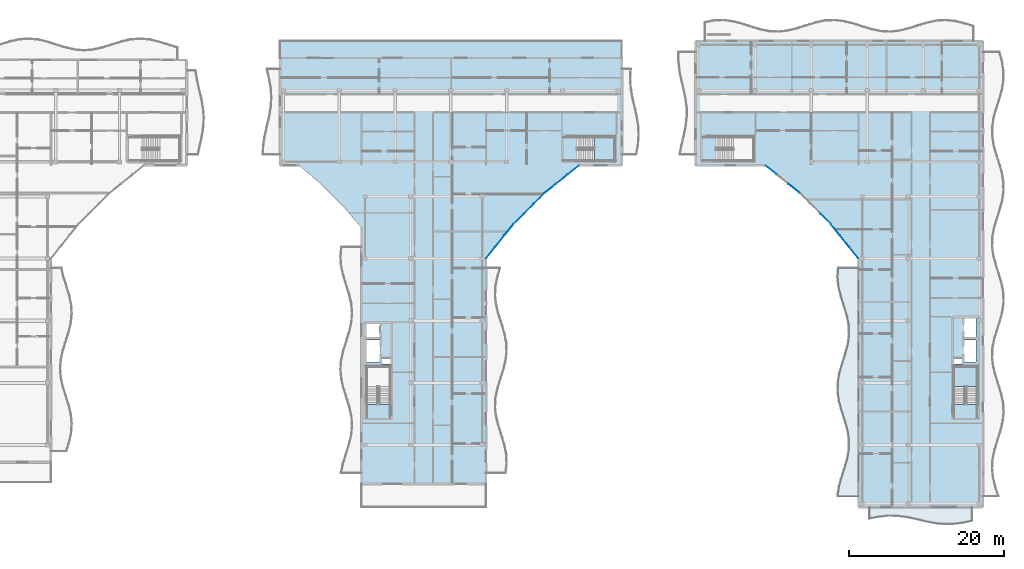
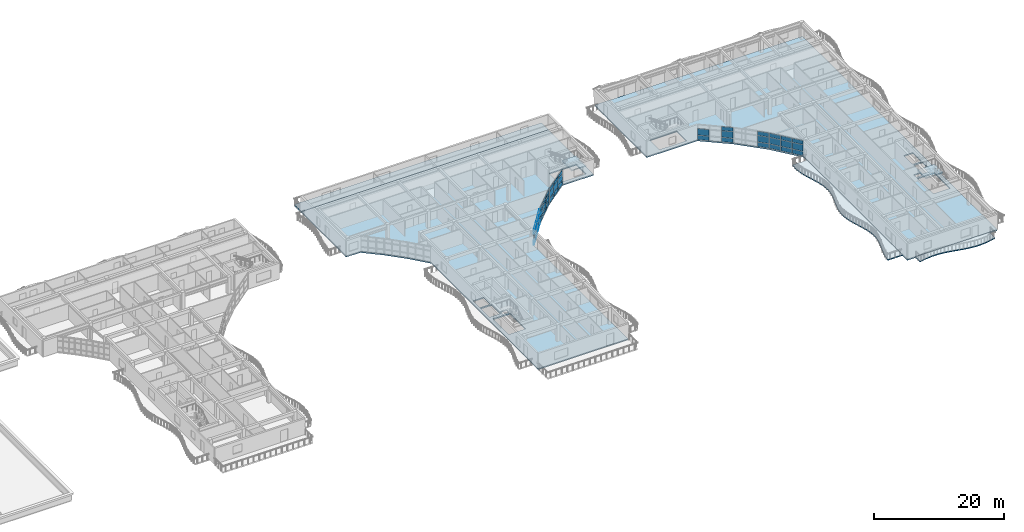
# One storey, part 23 of 54: 44 plates, 7 slabs, 8 elements without a shape of their own.
"""IFC4 building model written with IfcOpenShell, lengths in metres."""

from ifc_helpers import new_model, si_unit, direction, frame, origin, origin_2d, place, context, subcontext, project, spatial, polyline, rectangle, outline, extrude, material, layer, layer_set, type_object, element, aggregate, save


model = new_model("IFC4")

# Units and contexts
model_context = context("Model", 3, precision=1e-05, world=origin(), true_north=direction((0.0, 1.0)))
body_context = subcontext(model_context, "Body", "Model", "MODEL_VIEW")
ifc_project = project(units=[si_unit("LENGTHUNIT", "METRE"), si_unit("AREAUNIT", "SQUARE_METRE"), si_unit("VOLUMEUNIT", "CUBIC_METRE"), si_unit("PLANEANGLEUNIT", "RADIAN"), si_unit("MASSUNIT", "GRAM", prefix="KILO")], contexts=[model_context])

# Site, building, storey
site_placement = place(None, origin())
site = spatial("IfcSite", under=ifc_project, at=site_placement, CompositionType="ELEMENT")
building_placement = place(site_placement, origin())
building = spatial("IfcBuilding", under=site, at=building_placement, Name="Keldmere Railside Commons", CompositionType="ELEMENT")
storey_placement = place(building_placement, frame((0.0, 0.0, 26.56005859375)))
storey = spatial("IfcBuildingStorey", under=building, at=storey_placement, Name="L08", CompositionType="ELEMENT", Elevation=26.56005859375)

# Curtain wall, plates
ifc_material_1 = material(Name="Thermally Broken Aluminium", Category="aluminium")
ifc_layer_1 = layer(ifc_material_1, 0.159912109375, Name="Court Chord Wintergarden CW 4800x2850")
ifc_layer_set_1 = layer_set([ifc_layer_1], Name="Thermally Broken Aluminium")
curtain_wall_type_1 = type_object("IfcCurtainWallType", Name="Court Chord Wintergarden CW 4800x2850", PredefinedType="NOTDEFINED", material=ifc_layer_set_1)
curtain_wall_1_placement = place(storey_placement, origin())
curtain_wall_1 = element("IfcCurtainWall", 1, at=curtain_wall_1_placement, inside=storey, type_object=curtain_wall_type_1, Name="CW-12 CW-L08-133", PredefinedType="NOTDEFINED")
ifc_material_2 = material(Name="Low-E Insulated Double Glazing", Category="glass")
ifc_layer_2 = layer(ifc_material_2, 0.033935546875, Name="Acoustic Laminated Vision Panel 34")
ifc_layer_set_2 = layer_set([ifc_layer_2], Name="Low-E Insulated Double Glazing")
plate_type_1 = type_object("IfcPlateType", Name="Acoustic Laminated Vision Panel 34", PredefinedType="CURTAIN_PANEL", material=ifc_layer_set_2)
plate_1_placement = place(storey_placement, frame((122.951416015625, 91.678955078125, 0.06494140625), z_axis=(0.0, 0.0, 1.0), x_axis=(-0.625768080915, -0.780009172323, 0.0)))
plate_1 = element("IfcPlate", 2, at=plate_1_placement, type_object=plate_type_1, Name="CW-12 panel 1.1", PredefinedType="CURTAIN_PANEL", context=body_context, shape_type="SweptSolid", body=[
    extrude(rectangle(XDim=1.795654296875, YDim=0.033935546875, at=origin_2d()), origin(), (0.0, 0.0, 1.0), 0.802490234375),
])
plate_2_placement = place(storey_placement, frame((122.951416015625, 91.678955078125, 0.932373046875), z_axis=(0.0, 0.0, 1.0), x_axis=(-0.625768080915, -0.780009172323, 0.0)))
plate_2 = element("IfcPlate", 3, at=plate_2_placement, type_object=plate_type_1, Name="CW-12 panel 1.2", PredefinedType="CURTAIN_PANEL", context=body_context, shape_type="SweptSolid", body=[
    extrude(rectangle(XDim=1.795654296875, YDim=0.033935546875, at=origin_2d()), origin(), (0.0, 0.0, 1.0), 1.18505859375),
])
plate_3_placement = place(storey_placement, frame((122.951416015625, 91.678955078125, 2.182373046875), z_axis=(0.0, 0.0, 1.0), x_axis=(-0.625768080915, -0.780009172323, 0.0)))
plate_3 = element("IfcPlate", 4, at=plate_3_placement, type_object=plate_type_1, Name="CW-12 panel 1.3", PredefinedType="CURTAIN_PANEL", context=body_context, shape_type="SweptSolid", body=[
    extrude(rectangle(XDim=1.795654296875, YDim=0.033935546875, at=origin_2d()), origin(), (0.0, 0.0, 1.0), 0.732421875),
])
plate_4_placement = place(storey_placement, frame((121.777099609375, 90.215087890625, 0.06494140625), z_axis=(0.0, 0.0, 1.0), x_axis=(-0.625768080915, -0.780009172323, 0.0)))
plate_4 = element("IfcPlate", 5, at=plate_4_placement, type_object=plate_type_1, Name="CW-12 panel 2.1", PredefinedType="CURTAIN_PANEL", context=body_context, shape_type="SweptSolid", body=[
    extrude(rectangle(XDim=1.828125, YDim=0.033935546875, at=origin_2d()), origin(), (0.0, 0.0, 1.0), 0.802490234375),
])
plate_5_placement = place(storey_placement, frame((121.777099609375, 90.215087890625, 0.932373046875), z_axis=(0.0, 0.0, 1.0), x_axis=(-0.625768080915, -0.780009172323, 0.0)))
plate_5 = element("IfcPlate", 6, at=plate_5_placement, type_object=plate_type_1, Name="CW-12 panel 2.2", PredefinedType="CURTAIN_PANEL", context=body_context, shape_type="SweptSolid", body=[
    extrude(rectangle(XDim=1.828125, YDim=0.033935546875, at=origin_2d()), origin(), (0.0, 0.0, 1.0), 1.18505859375),
])
plate_6_placement = place(storey_placement, frame((121.777099609375, 90.215087890625, 2.182373046875), z_axis=(0.0, 0.0, 1.0), x_axis=(-0.625768080915, -0.780009172323, 0.0)))
plate_6 = element("IfcPlate", 7, at=plate_6_placement, type_object=plate_type_1, Name="CW-12 panel 2.3", PredefinedType="CURTAIN_PANEL", context=body_context, shape_type="SweptSolid", body=[
    extrude(rectangle(XDim=1.828125, YDim=0.033935546875, at=origin_2d()), origin(), (0.0, 0.0, 1.0), 0.732421875),
])
plate_7_placement = place(storey_placement, frame((120.6025390625, 88.7509765625, 0.06494140625), z_axis=(0.0, 0.0, 1.0), x_axis=(-0.625768080915, -0.780009172323, 0.0)))
plate_7 = element("IfcPlate", 8, at=plate_7_placement, type_object=plate_type_1, Name="CW-12 panel 3.1", PredefinedType="CURTAIN_PANEL", context=body_context, shape_type="SweptSolid", body=[
    extrude(rectangle(XDim=1.795654296875, YDim=0.033935546875, at=origin_2d()), origin(), (0.0, 0.0, 1.0), 0.802490234375),
])
plate_8_placement = place(storey_placement, frame((120.6025390625, 88.7509765625, 0.932373046875), z_axis=(0.0, 0.0, 1.0), x_axis=(-0.625768080915, -0.780009172323, 0.0)))
plate_8 = element("IfcPlate", 9, at=plate_8_placement, type_object=plate_type_1, Name="CW-12 panel 3.2", PredefinedType="CURTAIN_PANEL", context=body_context, shape_type="SweptSolid", body=[
    extrude(rectangle(XDim=1.795654296875, YDim=0.033935546875, at=origin_2d()), origin(), (0.0, 0.0, 1.0), 1.18505859375),
])
plate_9_placement = place(storey_placement, frame((120.6025390625, 88.7509765625, 2.182373046875), z_axis=(0.0, 0.0, 1.0), x_axis=(-0.625768080915, -0.780009172323, 0.0)))
plate_9 = element("IfcPlate", 10, at=plate_9_placement, type_object=plate_type_1, Name="CW-12 panel 3.3", PredefinedType="CURTAIN_PANEL", context=body_context, shape_type="SweptSolid", body=[
    extrude(rectangle(XDim=1.795654296875, YDim=0.033935546875, at=origin_2d()), origin(), (0.0, 0.0, 1.0), 0.732421875),
])
aggregate(curtain_wall_1, [plate_1, plate_2, plate_3, plate_4, plate_5, plate_6, plate_7, plate_8, plate_9])

ifc_layer_3 = layer(ifc_material_1, 0.159912109375, Name="Court Chord Wintergarden CW 5400x2850")
ifc_layer_set_3 = layer_set([ifc_layer_3], Name="Thermally Broken Aluminium")
curtain_wall_type_2 = type_object("IfcCurtainWallType", Name="Court Chord Wintergarden CW 5400x2850", PredefinedType="NOTDEFINED", material=ifc_layer_set_3)
curtain_wall_2_placement = place(storey_placement, origin())
curtain_wall_2 = element("IfcCurtainWall", 11, at=curtain_wall_2_placement, inside=storey, type_object=curtain_wall_type_2, Name="CW-13 CW-L08-181", PredefinedType="NOTDEFINED")
plate_10_placement = place(storey_placement, frame((159.678955078125, 97.048583984375, 0.06494140625), z_axis=(0.0, 0.0, 1.0), x_axis=(-0.780009172323, 0.625768080915, 0.0)))
plate_10 = element("IfcPlate", 12, at=plate_10_placement, type_object=plate_type_1, Name="CW-13 panel 1.1", PredefinedType="CURTAIN_PANEL", context=body_context, shape_type="SweptSolid", body=[
    extrude(rectangle(XDim=1.795654296875, YDim=0.033935546875, at=origin_2d()), origin(), (0.0, 0.0, 1.0), 0.802490234375),
])
plate_11_placement = place(storey_placement, frame((159.678955078125, 97.048583984375, 0.932373046875), z_axis=(0.0, 0.0, 1.0), x_axis=(-0.780009172323, 0.625768080915, 0.0)))
plate_11 = element("IfcPlate", 13, at=plate_11_placement, type_object=plate_type_1, Name="CW-13 panel 1.2", PredefinedType="CURTAIN_PANEL", context=body_context, shape_type="SweptSolid", body=[
    extrude(rectangle(XDim=1.795654296875, YDim=0.033935546875, at=origin_2d()), origin(), (0.0, 0.0, 1.0), 1.18505859375),
])
plate_12_placement = place(storey_placement, frame((159.678955078125, 97.048583984375, 2.182373046875), z_axis=(0.0, 0.0, 1.0), x_axis=(-0.780009172323, 0.625768080915, 0.0)))
plate_12 = element("IfcPlate", 14, at=plate_12_placement, type_object=plate_type_1, Name="CW-13 panel 1.3", PredefinedType="CURTAIN_PANEL", context=body_context, shape_type="SweptSolid", body=[
    extrude(rectangle(XDim=1.795654296875, YDim=0.033935546875, at=origin_2d()), origin(), (0.0, 0.0, 1.0), 0.732421875),
])
plate_13_placement = place(storey_placement, frame((156.7509765625, 99.3974609375, 0.06494140625), z_axis=(0.0, 0.0, 1.0), x_axis=(-0.780009172323, 0.625768080915, 0.0)))
plate_13 = element("IfcPlate", 15, at=plate_13_placement, type_object=plate_type_1, Name="CW-13 panel 3.1", PredefinedType="CURTAIN_PANEL", context=body_context, shape_type="SweptSolid", body=[
    extrude(rectangle(XDim=1.795654296875, YDim=0.033935546875, at=origin_2d()), origin(), (0.0, 0.0, 1.0), 0.802490234375),
])
plate_14_placement = place(storey_placement, frame((156.7509765625, 99.3974609375, 0.932373046875), z_axis=(0.0, 0.0, 1.0), x_axis=(-0.780009172323, 0.625768080915, 0.0)))
plate_14 = element("IfcPlate", 16, at=plate_14_placement, type_object=plate_type_1, Name="CW-13 panel 3.2", PredefinedType="CURTAIN_PANEL", context=body_context, shape_type="SweptSolid", body=[
    extrude(rectangle(XDim=1.795654296875, YDim=0.033935546875, at=origin_2d()), origin(), (0.0, 0.0, 1.0), 1.18505859375),
])
aggregate(curtain_wall_2, [plate_10, plate_11, plate_12, plate_13, plate_14])

curtain_wall_3_placement = place(storey_placement, origin())
curtain_wall_3 = element("IfcCurtainWall", 17, at=curtain_wall_3_placement, inside=storey, type_object=curtain_wall_type_2, Name="CW-13 CW-L08-134", PredefinedType="NOTDEFINED")
ifc_layer_4 = layer(ifc_material_2, 0.031982421875, Name="Clerestory Solar-Control Vision Panel 32")
ifc_layer_set_4 = layer_set([ifc_layer_4], Name="Low-E Insulated Double Glazing")
plate_type_2 = type_object("IfcPlateType", Name="Clerestory Solar-Control Vision Panel 32", PredefinedType="CURTAIN_PANEL", material=ifc_layer_set_4)
plate_15_placement = place(storey_placement, frame((126.88916015625, 95.76513671875, 0.06494140625), z_axis=(0.0, 0.0, 1.0), x_axis=(-0.707106781187, -0.707106781187, 0.0)))
plate_15 = element("IfcPlate", 18, at=plate_15_placement, type_object=plate_type_2, Name="CW-13 panel 1.1", PredefinedType="CURTAIN_PANEL", context=body_context, shape_type="SweptSolid", body=[
    extrude(rectangle(XDim=1.795654296875, YDim=0.031982421875, at=origin_2d()), origin(), (0.0, 0.0, 1.0), 0.802490234375),
])
plate_16_placement = place(storey_placement, frame((126.88916015625, 95.76513671875, 0.932373046875), z_axis=(0.0, 0.0, 1.0), x_axis=(-0.707106781187, -0.707106781187, 0.0)))
plate_16 = element("IfcPlate", 19, at=plate_16_placement, type_object=plate_type_2, Name="CW-13 panel 1.2", PredefinedType="CURTAIN_PANEL", context=body_context, shape_type="SweptSolid", body=[
    extrude(rectangle(XDim=1.795654296875, YDim=0.031982421875, at=origin_2d()), origin(), (0.0, 0.0, 1.0), 1.18505859375),
])
plate_17_placement = place(storey_placement, frame((126.88916015625, 95.76513671875, 2.182373046875), z_axis=(0.0, 0.0, 1.0), x_axis=(-0.707106781187, -0.707106781187, 0.0)))
plate_17 = element("IfcPlate", 20, at=plate_17_placement, type_object=plate_type_2, Name="CW-13 panel 1.3", PredefinedType="CURTAIN_PANEL", context=body_context, shape_type="SweptSolid", body=[
    extrude(rectangle(XDim=1.795654296875, YDim=0.031982421875, at=origin_2d()), origin(), (0.0, 0.0, 1.0), 0.732421875),
])
plate_18_placement = place(storey_placement, frame((125.56201171875, 94.43798828125, 0.06494140625), z_axis=(0.0, 0.0, 1.0), x_axis=(-0.707106781187, -0.707106781187, 0.0)))
plate_18 = element("IfcPlate", 21, at=plate_18_placement, type_object=plate_type_2, Name="CW-13 panel 2.1", PredefinedType="CURTAIN_PANEL", context=body_context, shape_type="SweptSolid", body=[
    extrude(rectangle(XDim=1.828125, YDim=0.031982421875, at=origin_2d()), origin(), (0.0, 0.0, 1.0), 0.802490234375),
])
plate_19_placement = place(storey_placement, frame((125.56201171875, 94.43798828125, 0.932373046875), z_axis=(0.0, 0.0, 1.0), x_axis=(-0.707106781187, -0.707106781187, 0.0)))
plate_19 = element("IfcPlate", 22, at=plate_19_placement, type_object=plate_type_2, Name="CW-13 panel 2.2", PredefinedType="CURTAIN_PANEL", context=body_context, shape_type="SweptSolid", body=[
    extrude(rectangle(XDim=1.828125, YDim=0.031982421875, at=origin_2d()), origin(), (0.0, 0.0, 1.0), 1.18505859375),
])
plate_20_placement = place(storey_placement, frame((125.56201171875, 94.43798828125, 2.182373046875), z_axis=(0.0, 0.0, 1.0), x_axis=(-0.707106781187, -0.707106781187, 0.0)))
plate_20 = element("IfcPlate", 23, at=plate_20_placement, type_object=plate_type_2, Name="CW-13 panel 2.3", PredefinedType="CURTAIN_PANEL", context=body_context, shape_type="SweptSolid", body=[
    extrude(rectangle(XDim=1.828125, YDim=0.031982421875, at=origin_2d()), origin(), (0.0, 0.0, 1.0), 0.732421875),
])
plate_21_placement = place(storey_placement, frame((124.23486328125, 93.11083984375, 0.06494140625), z_axis=(0.0, 0.0, 1.0), x_axis=(-0.707106781187, -0.707106781187, 0.0)))
plate_21 = element("IfcPlate", 24, at=plate_21_placement, type_object=plate_type_2, Name="CW-13 panel 3.1", PredefinedType="CURTAIN_PANEL", context=body_context, shape_type="SweptSolid", body=[
    extrude(rectangle(XDim=1.795654296875, YDim=0.031982421875, at=origin_2d()), origin(), (0.0, 0.0, 1.0), 0.802490234375),
])
plate_22_placement = place(storey_placement, frame((124.23486328125, 93.11083984375, 0.932373046875), z_axis=(0.0, 0.0, 1.0), x_axis=(-0.707106781187, -0.707106781187, 0.0)))
plate_22 = element("IfcPlate", 25, at=plate_22_placement, type_object=plate_type_2, Name="CW-13 panel 3.2", PredefinedType="CURTAIN_PANEL", context=body_context, shape_type="SweptSolid", body=[
    extrude(rectangle(XDim=1.795654296875, YDim=0.031982421875, at=origin_2d()), origin(), (0.0, 0.0, 1.0), 1.18505859375),
])
plate_23_placement = place(storey_placement, frame((124.23486328125, 93.11083984375, 2.182373046875), z_axis=(0.0, 0.0, 1.0), x_axis=(-0.707106781187, -0.707106781187, 0.0)))
plate_23 = element("IfcPlate", 26, at=plate_23_placement, type_object=plate_type_2, Name="CW-13 panel 3.3", PredefinedType="CURTAIN_PANEL", context=body_context, shape_type="SweptSolid", body=[
    extrude(rectangle(XDim=1.795654296875, YDim=0.031982421875, at=origin_2d()), origin(), (0.0, 0.0, 1.0), 0.732421875),
])
aggregate(curtain_wall_3, [plate_15, plate_16, plate_17, plate_18, plate_19, plate_20, plate_21, plate_22, plate_23])

curtain_wall_4_placement = place(storey_placement, origin())
curtain_wall_4 = element("IfcCurtainWall", 27, at=curtain_wall_4_placement, inside=storey, type_object=curtain_wall_type_1, Name="CW-12 CW-L08-182", PredefinedType="NOTDEFINED")
plate_24_placement = place(storey_placement, frame((163.76513671875, 93.11083984375, 0.06494140625), z_axis=(0.0, 0.0, 1.0), x_axis=(-0.707106781187, 0.707106781187, 0.0)))
plate_24 = element("IfcPlate", 28, at=plate_24_placement, type_object=plate_type_2, Name="CW-12 panel 1.1", PredefinedType="CURTAIN_PANEL", context=body_context, shape_type="SweptSolid", body=[
    extrude(rectangle(XDim=1.795654296875, YDim=0.031982421875, at=origin_2d()), origin(), (0.0, 0.0, 1.0), 0.802490234375),
])
plate_25_placement = place(storey_placement, frame((163.76513671875, 93.11083984375, 0.932373046875), z_axis=(0.0, 0.0, 1.0), x_axis=(-0.707106781187, 0.707106781187, 0.0)))
plate_25 = element("IfcPlate", 29, at=plate_25_placement, type_object=plate_type_2, Name="CW-12 panel 1.2", PredefinedType="CURTAIN_PANEL", context=body_context, shape_type="SweptSolid", body=[
    extrude(rectangle(XDim=1.795654296875, YDim=0.031982421875, at=origin_2d()), origin(), (0.0, 0.0, 1.0), 1.18505859375),
])
plate_26_placement = place(storey_placement, frame((163.76513671875, 93.11083984375, 2.182373046875), z_axis=(0.0, 0.0, 1.0), x_axis=(-0.707106781187, 0.707106781187, 0.0)))
plate_26 = element("IfcPlate", 30, at=plate_26_placement, type_object=plate_type_2, Name="CW-12 panel 1.3", PredefinedType="CURTAIN_PANEL", context=body_context, shape_type="SweptSolid", body=[
    extrude(rectangle(XDim=1.795654296875, YDim=0.031982421875, at=origin_2d()), origin(), (0.0, 0.0, 1.0), 0.732421875),
])
aggregate(curtain_wall_4, [plate_24, plate_25, plate_26])

# Stair, slab
ifc_material_3 = material(Name="Concrete H-30 (C30/37)", Category="concrete")
stair_type_1 = type_object("IfcStairType", Name="Basement Garage Dogleg Escape Stair 1450", PredefinedType="HALF_TURN_STAIR", material=ifc_material_3)
stair_1_placement = place(storey_placement, origin())
stair_1 = element("IfcStair", 31, at=stair_1_placement, inside=storey, type_object=stair_type_1, Name="L08 Block B Secondary Escape Stair 2", PredefinedType="HALF_TURN_STAIR")
ifc_layer_5 = layer(ifc_material_3, 0.199951171875, Name="Enclosed Stair Landing Slab 200")
ifc_layer_set_5 = layer_set([ifc_layer_5], Name="Concrete H-30 (C30/37)")
slab_type_1 = type_object("IfcSlabType", Name="Enclosed Stair Landing Slab 200", PredefinedType="LANDING", material=ifc_layer_set_5)
slab_1_placement = place(storey_placement, frame((0.0, 0.0, 1.39990234375)))
slab_1 = element("IfcSlab", 32, at=slab_1_placement, type_object=slab_type_1, Name="ST-B2 landing 1", PredefinedType="LANDING", context=body_context, shape_type="SweptSolid", body=[
    extrude(outline(polyline([(134.02001953125, 100.60009765625), (136.60009765625, 100.60009765625), (136.60009765625, 103.64990234375), (134.02001953125, 103.64990234375), (134.02001953125, 100.60009765625)])), origin(), (0.0, 0.0, 1.0), 0.199951171875),
])
aggregate(stair_1, [slab_1])

stair_type_2 = type_object("IfcStairType", Name="Residential Core Dogleg Stair 1450", PredefinedType="HALF_TURN_STAIR", material=ifc_material_3)
stair_2_placement = place(storey_placement, origin())
stair_2 = element("IfcStair", 33, at=stair_2_placement, inside=storey, type_object=stair_type_2, Name="L08 Block A Primary Escape Stair 1", PredefinedType="HALF_TURN_STAIR")
slab_2_placement = place(storey_placement, frame((0.0, 0.0, 1.39990234375)))
slab_2 = element("IfcSlab", 34, at=slab_2_placement, type_object=slab_type_1, Name="ST-A1 landing 1", PredefinedType="LANDING", context=body_context, shape_type="SweptSolid", body=[
    extrude(outline(polyline([(183.300048828125, 71.52001953125), (183.300048828125, 74.10009765625), (180.25, 74.10009765625), (180.25, 71.52001953125), (183.300048828125, 71.52001953125)])), origin(), (0.0, 0.0, 1.0), 0.199951171875),
])
aggregate(stair_2, [slab_2])

# Curtain wall, plates
curtain_wall_5_placement = place(storey_placement, origin())
curtain_wall_5 = element("IfcCurtainWall", 35, at=curtain_wall_5_placement, inside=storey, type_object=curtain_wall_type_1, Name="CW-12 CW-L08-135", PredefinedType="NOTDEFINED")
ifc_layer_6 = layer(ifc_material_2, 0.028076171875, Name="Low-E Vision Glazing Panel 28")
ifc_layer_set_6 = layer_set([ifc_layer_6], Name="Low-E Insulated Double Glazing")
plate_type_3 = type_object("IfcPlateType", Name="Low-E Vision Glazing Panel 28", PredefinedType="CURTAIN_PANEL", material=ifc_layer_set_6)
plate_27_placement = place(storey_placement, frame((131.2490234375, 99.3974609375, 0.06494140625), z_axis=(0.0, 0.0, 1.0), x_axis=(-0.780009172323, -0.625768080915, 0.0)))
plate_27 = element("IfcPlate", 36, at=plate_27_placement, type_object=plate_type_3, Name="CW-12 panel 1.1", PredefinedType="CURTAIN_PANEL", context=body_context, shape_type="SweptSolid", body=[
    extrude(rectangle(XDim=1.795654296875, YDim=0.028076171875, at=origin_2d()), origin(), (0.0, 0.0, 1.0), 0.802490234375),
])
plate_28_placement = place(storey_placement, frame((131.2490234375, 99.3974609375, 0.932373046875), z_axis=(0.0, 0.0, 1.0), x_axis=(-0.780009172323, -0.625768080915, 0.0)))
plate_28 = element("IfcPlate", 37, at=plate_28_placement, type_object=plate_type_3, Name="CW-12 panel 1.2", PredefinedType="CURTAIN_PANEL", context=body_context, shape_type="SweptSolid", body=[
    extrude(rectangle(XDim=1.795654296875, YDim=0.028076171875, at=origin_2d()), origin(), (0.0, 0.0, 1.0), 1.18505859375),
])
plate_29_placement = place(storey_placement, frame((131.2490234375, 99.3974609375, 2.182373046875), z_axis=(0.0, 0.0, 1.0), x_axis=(-0.780009172323, -0.625768080915, 0.0)))
plate_29 = element("IfcPlate", 38, at=plate_29_placement, type_object=plate_type_3, Name="CW-12 panel 1.3", PredefinedType="CURTAIN_PANEL", context=body_context, shape_type="SweptSolid", body=[
    extrude(rectangle(XDim=1.795654296875, YDim=0.028076171875, at=origin_2d()), origin(), (0.0, 0.0, 1.0), 0.732421875),
])
plate_30_placement = place(storey_placement, frame((129.784912109375, 98.222900390625, 0.06494140625), z_axis=(0.0, 0.0, 1.0), x_axis=(-0.780009172323, -0.625768080915, 0.0)))
plate_30 = element("IfcPlate", 39, at=plate_30_placement, type_object=plate_type_3, Name="CW-12 panel 2.1", PredefinedType="CURTAIN_PANEL", context=body_context, shape_type="SweptSolid", body=[
    extrude(rectangle(XDim=1.828125, YDim=0.028076171875, at=origin_2d()), origin(), (0.0, 0.0, 1.0), 0.802490234375),
])
plate_31_placement = place(storey_placement, frame((129.784912109375, 98.222900390625, 0.932373046875), z_axis=(0.0, 0.0, 1.0), x_axis=(-0.780009172323, -0.625768080915, 0.0)))
plate_31 = element("IfcPlate", 40, at=plate_31_placement, type_object=plate_type_3, Name="CW-12 panel 2.2", PredefinedType="CURTAIN_PANEL", context=body_context, shape_type="SweptSolid", body=[
    extrude(rectangle(XDim=1.828125, YDim=0.028076171875, at=origin_2d()), origin(), (0.0, 0.0, 1.0), 1.18505859375),
])
plate_32_placement = place(storey_placement, frame((129.784912109375, 98.222900390625, 2.182373046875), z_axis=(0.0, 0.0, 1.0), x_axis=(-0.780009172323, -0.625768080915, 0.0)))
plate_32 = element("IfcPlate", 41, at=plate_32_placement, type_object=plate_type_3, Name="CW-12 panel 2.3", PredefinedType="CURTAIN_PANEL", context=body_context, shape_type="SweptSolid", body=[
    extrude(rectangle(XDim=1.828125, YDim=0.028076171875, at=origin_2d()), origin(), (0.0, 0.0, 1.0), 0.732421875),
])
plate_33_placement = place(storey_placement, frame((128.321044921875, 97.048583984375, 0.06494140625), z_axis=(0.0, 0.0, 1.0), x_axis=(-0.780009172323, -0.625768080915, 0.0)))
plate_33 = element("IfcPlate", 42, at=plate_33_placement, type_object=plate_type_3, Name="CW-12 panel 3.1", PredefinedType="CURTAIN_PANEL", context=body_context, shape_type="SweptSolid", body=[
    extrude(rectangle(XDim=1.795654296875, YDim=0.028076171875, at=origin_2d()), origin(), (0.0, 0.0, 1.0), 0.802490234375),
])
plate_34_placement = place(storey_placement, frame((128.321044921875, 97.048583984375, 0.932373046875), z_axis=(0.0, 0.0, 1.0), x_axis=(-0.780009172323, -0.625768080915, 0.0)))
plate_34 = element("IfcPlate", 43, at=plate_34_placement, type_object=plate_type_3, Name="CW-12 panel 3.2", PredefinedType="CURTAIN_PANEL", context=body_context, shape_type="SweptSolid", body=[
    extrude(rectangle(XDim=1.795654296875, YDim=0.028076171875, at=origin_2d()), origin(), (0.0, 0.0, 1.0), 1.18505859375),
])
plate_35_placement = place(storey_placement, frame((128.321044921875, 97.048583984375, 2.182373046875), z_axis=(0.0, 0.0, 1.0), x_axis=(-0.780009172323, -0.625768080915, 0.0)))
plate_35 = element("IfcPlate", 44, at=plate_35_placement, type_object=plate_type_3, Name="CW-12 panel 3.3", PredefinedType="CURTAIN_PANEL", context=body_context, shape_type="SweptSolid", body=[
    extrude(rectangle(XDim=1.795654296875, YDim=0.028076171875, at=origin_2d()), origin(), (0.0, 0.0, 1.0), 0.732421875),
])
aggregate(curtain_wall_5, [plate_27, plate_28, plate_29, plate_30, plate_31, plate_32, plate_33, plate_34, plate_35])

curtain_wall_6_placement = place(storey_placement, origin())
curtain_wall_6 = element("IfcCurtainWall", 45, at=curtain_wall_6_placement, inside=storey, type_object=curtain_wall_type_2, Name="CW-13 CW-L08-183", PredefinedType="NOTDEFINED")
plate_36_placement = place(storey_placement, frame((167.3974609375, 88.7509765625, 0.06494140625), z_axis=(0.0, 0.0, 1.0), x_axis=(-0.625768080915, 0.780009172323, 0.0)))
plate_36 = element("IfcPlate", 46, at=plate_36_placement, type_object=plate_type_3, Name="CW-13 panel 1.1", PredefinedType="CURTAIN_PANEL", context=body_context, shape_type="SweptSolid", body=[
    extrude(rectangle(XDim=1.795654296875, YDim=0.028076171875, at=origin_2d()), origin(), (0.0, 0.0, 1.0), 0.802490234375),
])
plate_37_placement = place(storey_placement, frame((167.3974609375, 88.7509765625, 0.932373046875), z_axis=(0.0, 0.0, 1.0), x_axis=(-0.625768080915, 0.780009172323, 0.0)))
plate_37 = element("IfcPlate", 47, at=plate_37_placement, type_object=plate_type_3, Name="CW-13 panel 1.2", PredefinedType="CURTAIN_PANEL", context=body_context, shape_type="SweptSolid", body=[
    extrude(rectangle(XDim=1.795654296875, YDim=0.028076171875, at=origin_2d()), origin(), (0.0, 0.0, 1.0), 1.18505859375),
])
plate_38_placement = place(storey_placement, frame((167.3974609375, 88.7509765625, 2.182373046875), z_axis=(0.0, 0.0, 1.0), x_axis=(-0.625768080915, 0.780009172323, 0.0)))
plate_38 = element("IfcPlate", 48, at=plate_38_placement, type_object=plate_type_3, Name="CW-13 panel 1.3", PredefinedType="CURTAIN_PANEL", context=body_context, shape_type="SweptSolid", body=[
    extrude(rectangle(XDim=1.795654296875, YDim=0.028076171875, at=origin_2d()), origin(), (0.0, 0.0, 1.0), 0.732421875),
])
plate_39_placement = place(storey_placement, frame((166.222900390625, 90.215087890625, 0.06494140625), z_axis=(0.0, 0.0, 1.0), x_axis=(-0.625768080915, 0.780009172323, 0.0)))
plate_39 = element("IfcPlate", 49, at=plate_39_placement, type_object=plate_type_3, Name="CW-13 panel 2.1", PredefinedType="CURTAIN_PANEL", context=body_context, shape_type="SweptSolid", body=[
    extrude(rectangle(XDim=1.828125, YDim=0.028076171875, at=origin_2d()), origin(), (0.0, 0.0, 1.0), 0.802490234375),
])
plate_40_placement = place(storey_placement, frame((166.222900390625, 90.215087890625, 0.932373046875), z_axis=(0.0, 0.0, 1.0), x_axis=(-0.625768080915, 0.780009172323, 0.0)))
plate_40 = element("IfcPlate", 50, at=plate_40_placement, type_object=plate_type_3, Name="CW-13 panel 2.2", PredefinedType="CURTAIN_PANEL", context=body_context, shape_type="SweptSolid", body=[
    extrude(rectangle(XDim=1.828125, YDim=0.028076171875, at=origin_2d()), origin(), (0.0, 0.0, 1.0), 1.18505859375),
])
plate_41_placement = place(storey_placement, frame((166.222900390625, 90.215087890625, 2.182373046875), z_axis=(0.0, 0.0, 1.0), x_axis=(-0.625768080915, 0.780009172323, 0.0)))
plate_41 = element("IfcPlate", 51, at=plate_41_placement, type_object=plate_type_3, Name="CW-13 panel 2.3", PredefinedType="CURTAIN_PANEL", context=body_context, shape_type="SweptSolid", body=[
    extrude(rectangle(XDim=1.828125, YDim=0.028076171875, at=origin_2d()), origin(), (0.0, 0.0, 1.0), 0.732421875),
])
plate_42_placement = place(storey_placement, frame((165.048583984375, 91.678955078125, 0.06494140625), z_axis=(0.0, 0.0, 1.0), x_axis=(-0.625768080915, 0.780009172323, 0.0)))
plate_42 = element("IfcPlate", 52, at=plate_42_placement, type_object=plate_type_3, Name="CW-13 panel 3.1", PredefinedType="CURTAIN_PANEL", context=body_context, shape_type="SweptSolid", body=[
    extrude(rectangle(XDim=1.795654296875, YDim=0.028076171875, at=origin_2d()), origin(), (0.0, 0.0, 1.0), 0.802490234375),
])
plate_43_placement = place(storey_placement, frame((165.048583984375, 91.678955078125, 0.932373046875), z_axis=(0.0, 0.0, 1.0), x_axis=(-0.625768080915, 0.780009172323, 0.0)))
plate_43 = element("IfcPlate", 53, at=plate_43_placement, type_object=plate_type_3, Name="CW-13 panel 3.2", PredefinedType="CURTAIN_PANEL", context=body_context, shape_type="SweptSolid", body=[
    extrude(rectangle(XDim=1.795654296875, YDim=0.028076171875, at=origin_2d()), origin(), (0.0, 0.0, 1.0), 1.18505859375),
])
plate_44_placement = place(storey_placement, frame((165.048583984375, 91.678955078125, 2.182373046875), z_axis=(0.0, 0.0, 1.0), x_axis=(-0.625768080915, 0.780009172323, 0.0)))
plate_44 = element("IfcPlate", 54, at=plate_44_placement, type_object=plate_type_3, Name="CW-13 panel 3.3", PredefinedType="CURTAIN_PANEL", context=body_context, shape_type="SweptSolid", body=[
    extrude(rectangle(XDim=1.795654296875, YDim=0.028076171875, at=origin_2d()), origin(), (0.0, 0.0, 1.0), 0.732421875),
])
aggregate(curtain_wall_6, [plate_36, plate_37, plate_38, plate_39, plate_40, plate_41, plate_42, plate_43, plate_44])

# Slabs
ifc_material_4 = material(Name="Concrete H-35 (C35/45)", Category="concrete")
ifc_layer_7 = layer(ifc_material_4, 0.25, Name="Planted Terrace Roof Slab 250")
ifc_layer_set_7 = layer_set([ifc_layer_7], Name="Concrete H-35 (C35/45)")
slab_type_2 = type_object("IfcSlabType", Name="Planted Terrace Roof Slab 250", PredefinedType="ROOF", material=ifc_layer_set_7)
slab_3_placement = place(storey_placement, frame((0.0, 0.0, -0.25)))
element("IfcSlab", 55, at=slab_3_placement, inside=storey, type_object=slab_type_2, Name="RT-1 TERRB-L08-044", PredefinedType="ROOF", context=body_context, shape_type="SweptSolid", body=[
    extrude(outline(polyline([(93.5, 116.0), (93.5, 113.81005859375), (137.5, 113.81005859375), (137.5, 116.0), (93.5, 116.0)])), origin(), (0.0, 0.0, 1.0), 0.25),
])
ifc_layer_8 = layer(ifc_material_3, 0.219970703125, Name="Residential Flat Slab 220")
ifc_layer_set_8 = layer_set([ifc_layer_8], Name="Concrete H-30 (C30/37)")
slab_type_3 = type_object("IfcSlabType", Name="Residential Flat Slab 220", PredefinedType="FLOOR", material=ifc_layer_set_8)
slab_4_placement = place(storey_placement, frame((0.0, 0.0, -0.219970703125)))
element("IfcSlab", 56, at=slab_4_placement, inside=storey, type_object=slab_type_3, Name="FS-2 BLKB-L08-043", PredefinedType="FLOOR", context=body_context, shape_type="SweptSolid", body=[
    extrude(outline(polyline([(104.0, 59.0), (120.0, 59.0), (120.0, 88.0), (123.553955078125, 92.429931640625), (127.570068359375, 96.446044921875), (132.0, 100.0), (137.5, 100.0), (137.5, 113.800048828125), (93.5, 113.800048828125), (93.5, 100.0), (96.0, 100.0), (98.85791015625, 97.530029296875), (101.530029296875, 94.85791015625), (104.0, 92.0), (104.0, 59.0)]), holes=[polyline([(107.675048828125, 69.22509765625), (104.675048828125, 69.22509765625), (104.675048828125, 74.074951171875), (107.675048828125, 74.074951171875), (107.675048828125, 69.22509765625)]), polyline([(106.39990234375, 74.699951171875), (104.39990234375, 74.699951171875), (104.39990234375, 77.5), (106.39990234375, 77.5), (106.39990234375, 74.699951171875)]), polyline([(106.300048828125, 77.75), (104.39990234375, 77.75), (104.39990234375, 79.800048828125), (106.300048828125, 79.800048828125), (106.300048828125, 77.75)]), polyline([(107.699951171875, 74.419921875), (106.60009765625, 74.419921875), (106.60009765625, 75.159912109375), (107.699951171875, 75.159912109375), (107.699951171875, 74.419921875)]), polyline([(131.72509765625, 100.625), (131.72509765625, 103.625), (136.574951171875, 103.625), (136.574951171875, 100.625), (131.72509765625, 100.625)])]), origin(), (0.0, 0.0, 1.0), 0.219970703125),
])
slab_5_placement = place(storey_placement, frame((0.0, 0.0, -0.219970703125)))
element("IfcSlab", 57, at=slab_5_placement, inside=storey, type_object=slab_type_3, Name="FS-2 BLKA-L08-061", PredefinedType="FLOOR", context=body_context, shape_type="SweptSolid", body=[
    extrude(outline(polyline([(168.0, 56.0), (184.0, 56.0), (184.0, 116.0), (147.0, 116.0), (147.0, 100.0), (156.0, 100.0), (160.429931640625, 96.446044921875), (164.446044921875, 92.429931640625), (168.0, 88.0), (168.0, 56.0)]), holes=[polyline([(183.27490234375, 69.22509765625), (180.27490234375, 69.22509765625), (180.27490234375, 74.074951171875), (183.27490234375, 74.074951171875), (183.27490234375, 69.22509765625)]), polyline([(181.320068359375, 74.419921875), (180.219970703125, 74.419921875), (180.219970703125, 75.159912109375), (181.320068359375, 75.159912109375), (181.320068359375, 74.419921875)]), polyline([(183.10009765625, 74.699951171875), (181.5, 74.699951171875), (181.5, 77.5), (183.10009765625, 77.5), (183.10009765625, 74.699951171875)]), polyline([(183.10009765625, 77.75), (181.5, 77.75), (181.5, 80.39990234375), (183.10009765625, 80.39990234375), (183.10009765625, 77.75)]), polyline([(149.625, 100.625), (149.625, 103.625), (154.47509765625, 103.625), (154.47509765625, 100.625), (149.625, 100.625)])]), origin(), (0.0, 0.0, 1.0), 0.219970703125),
])
ifc_material_5 = material(Name="White Precast Concrete H-35 (C35/45)", Category="concrete")
ifc_layer_9 = layer(ifc_material_5, 0.179931640625, Name="Sinusoidal Wave Balcony Slab 180")
ifc_layer_set_9 = layer_set([ifc_layer_9], Name="White Precast Concrete H-35 (C35/45)")
slab_type_4 = type_object("IfcSlabType", Name="Sinusoidal Wave Balcony Slab 180", PredefinedType="FLOOR", material=ifc_layer_set_9)
slab_6_placement = place(storey_placement, frame((0.0, 0.0, -0.18017578125)))
element("IfcSlab", 58, at=slab_6_placement, inside=storey, type_object=slab_type_4, Name="WB-1 A L08 CW Wave Balcony", PredefinedType="FLOOR", context=body_context, shape_type="SweptSolid", body=[
    extrude(outline(polyline([(168.0, 57.39990234375), (168.0, 58.625), (168.0, 59.85009765625), (168.0, 61.074951171875), (168.0, 62.300048828125), (168.0, 63.52490234375), (168.0, 64.75), (168.0, 65.97509765625), (168.0, 67.199951171875), (168.0, 68.425048828125), (168.0, 69.64990234375), (168.0, 70.875), (168.0, 72.10009765625), (168.0, 73.324951171875), (168.0, 74.550048828125), (168.0, 75.77490234375), (168.0, 77.0), (168.0, 78.22509765625), (168.0, 79.449951171875), (168.0, 80.675048828125), (168.0, 81.89990234375), (168.0, 83.125), (168.0, 84.35009765625), (168.0, 85.574951171875), (168.0, 86.800048828125), (165.377197265625, 86.800048828125), (165.30224609375, 85.574951171875), (165.435791015625, 84.35009765625), (165.74072265625, 83.125), (166.1318359375, 81.89990234375), (166.500244140625, 80.675048828125), (166.742919921875, 79.449951171875), (166.79248046875, 78.22509765625), (166.634765625, 77.0), (166.31396484375, 75.77490234375), (165.91943359375, 74.550048828125), (165.5615234375, 73.324951171875), (165.339599609375, 72.10009765625), (165.316162109375, 70.875), (165.497314453125, 69.64990234375), (165.83251953125, 68.425048828125), (166.228515625, 67.199951171875), (166.57470703125, 65.97509765625), (166.7744140625, 64.75), (166.772216796875, 63.52490234375), (166.568603515625, 62.300048828125), (166.22021484375, 61.074951171875), (165.82421875, 59.85009765625), (165.491455078125, 58.625), (165.314453125, 57.39990234375), (168.0, 57.39990234375)])), origin(), (0.0, 0.0, 1.0), 0.18017578125),
])
slab_7_placement = place(storey_placement, frame((0.0, 0.0, -0.18017578125)))
element("IfcSlab", 59, at=slab_7_placement, inside=storey, type_object=slab_type_4, Name="WB-1 A L08 S Wave Balcony", PredefinedType="FLOOR", context=body_context, shape_type="SweptSolid", body=[
    extrude(outline(polyline([(169.39990234375, 54.525634765625), (170.60009765625, 54.7626953125), (171.800048828125, 54.88916015625), (173.0, 54.87109375), (174.199951171875, 54.71337890625), (175.39990234375, 54.45849609375), (176.60009765625, 54.17431640625), (177.800048828125, 53.937255859375), (179.0, 53.810791015625), (180.199951171875, 53.828857421875), (181.39990234375, 53.986572265625), (182.60009765625, 54.24169921875), (182.60009765625, 56.0), (181.39990234375, 56.0), (180.199951171875, 56.0), (179.0, 56.0), (177.800048828125, 56.0), (176.60009765625, 56.0), (175.39990234375, 56.0), (174.199951171875, 56.0), (173.0, 56.0), (171.800048828125, 56.0), (170.60009765625, 56.0), (169.39990234375, 56.0), (169.39990234375, 54.525634765625)])), origin(), (0.0, 0.0, 1.0), 0.18017578125),
])

save(model, "model.ifc")
